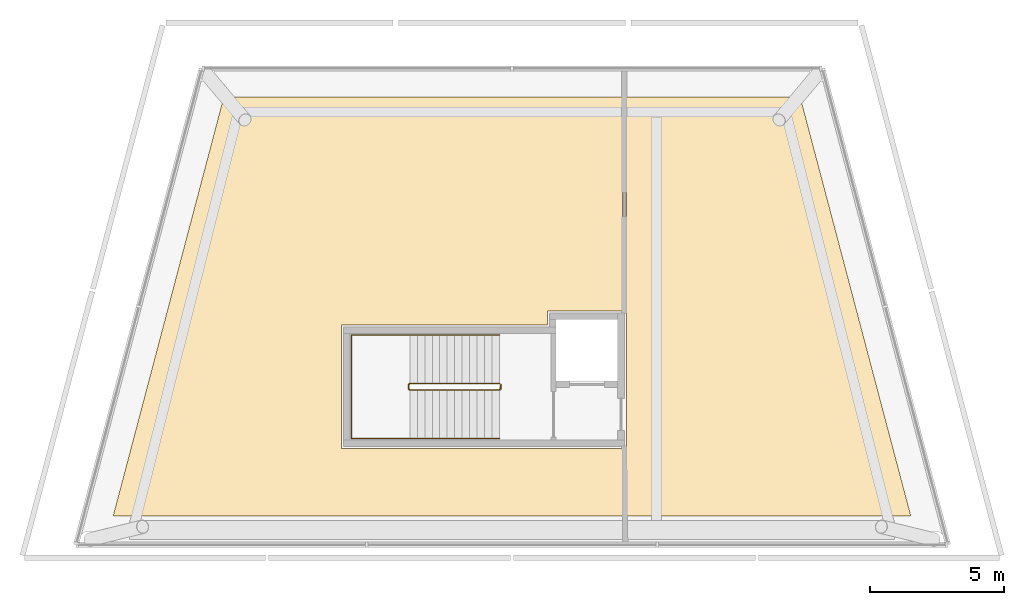
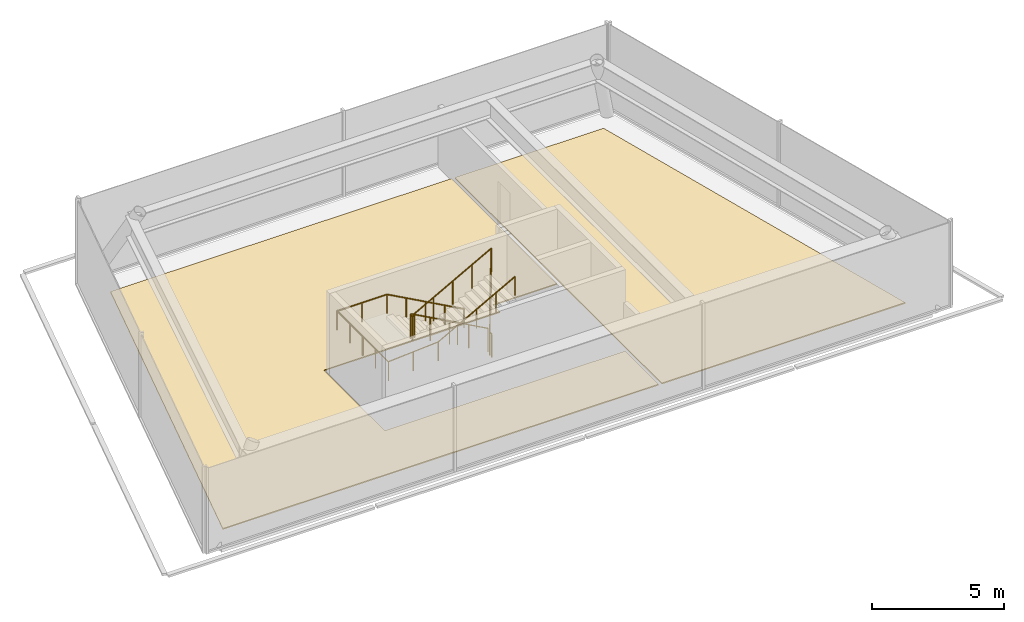
# One storey, part 3 of 3: 2 coverings, 2 railings.
"""IFC4 building model written with IfcOpenShell, lengths in metres."""

import ifcopenshell
import ifcopenshell.guid

model = None  # the IFC model being written
_history = None  # IfcOwnerHistory: only IFC2X3 demands one
_inside = {}  # id of a spatial element -> (the spatial element, [elements in it])
_under = {}  # id of a project, library or spatial element -> (it, [spatial elements below it])
_declared = {}  # id of a project -> (the project, [libraries it declares])
_typed = {}  # id of a type object -> (the type object, [elements of that type])
_made_of = {}  # id of a material, layer set ... -> (it, [elements and type objects made of it])


def new_model(schema):
    """Start an empty IFC model of exactly this schema.

    Asked for "IFC4X3", IfcOpenShell would pick the latest addendum, in which some entities
    have other attributes; the version numbers below select the first issue.
    IFC2X3 requires an IfcOwnerHistory on every rooted entity: one is made here for all.
    """
    global model, _history
    if schema == "IFC4X3":
        model = ifcopenshell.file(schema_version=(4, 3, 0, 0))
    else:
        model = ifcopenshell.file(schema=schema)
    _inside.clear()
    _under.clear()
    _declared.clear()
    _typed.clear()
    _made_of.clear()
    _history = None
    if model.schema == "IFC2X3":
        org = make("IfcOrganization", Name="unknown")
        user = make(
            "IfcPersonAndOrganization",
            ThePerson=make("IfcPerson", FamilyName="unknown"),
            TheOrganization=org,
        )
        app = make(
            "IfcApplication",
            ApplicationDeveloper=org,
            Version="unknown",
            ApplicationFullName="unknown",
            ApplicationIdentifier="unknown",
        )
        _history = make(
            "IfcOwnerHistory",
            OwningUser=user,
            OwningApplication=app,
            ChangeAction="ADDED",
            CreationDate=0,
        )
    return model


def make(cls, **values):
    """One entity of the class cls with the attributes given. An attribute that is None is left unset."""
    return model.create_entity(
        cls, **{name: value for name, value in values.items() if value is not None}
    )


def rooted(cls, **values):
    """An entity with a GlobalId (a new one), such as an element, a storey or a relation."""
    return make(cls, GlobalId=ifcopenshell.guid.new(), OwnerHistory=_history, **values)


def si_unit(unit_type, name, prefix=None):
    """IfcSIUnit, for example si_unit("LENGTHUNIT", "METRE", prefix="MILLI")."""
    return make("IfcSIUnit", UnitType=unit_type, Prefix=prefix, Name=name)


def assignment(units):
    """IfcUnitAssignment: the units of a project."""
    return None if units is None else make("IfcUnitAssignment", Units=units)


def point(xyz):
    """IfcCartesianPoint."""
    return None if xyz is None else make("IfcCartesianPoint", Coordinates=xyz)


def direction(xyz):
    """IfcDirection."""
    return None if xyz is None else make("IfcDirection", DirectionRatios=xyz)


def frame(location, z_axis=None, x_axis=None):
    """IfcAxis2Placement3D, a coordinate frame: its origin and axes. An axis left out is left unset."""
    return make(
        "IfcAxis2Placement3D",
        Location=point(location),
        Axis=direction(z_axis),
        RefDirection=direction(x_axis),
    )


def frame_2d(location, x_axis=None):
    """IfcAxis2Placement2D, a coordinate frame in the plane: its origin and x axis."""
    return make(
        "IfcAxis2Placement2D", Location=point(location), RefDirection=direction(x_axis)
    )


def origin():
    """The frame at (0, 0, 0) with its axes left unset."""
    return frame((0.0, 0.0, 0.0))


def origin_2d():
    """The frame at (0, 0) in the plane with its x axis left unset."""
    return frame_2d((0.0, 0.0))


def place(relative_to, where):
    """IfcLocalPlacement: puts the frame where relative to a parent placement (None: the world)."""
    return make(
        "IfcLocalPlacement", PlacementRelTo=relative_to, RelativePlacement=where
    )


def context(
    kind, dimensions, precision=None, world=None, true_north=None, identifier=None
):
    """IfcGeometricRepresentationContext, for example the 3D "Model" context."""
    return make(
        "IfcGeometricRepresentationContext",
        ContextIdentifier=identifier,
        ContextType=kind,
        CoordinateSpaceDimension=dimensions,
        Precision=precision,
        WorldCoordinateSystem=world,
        TrueNorth=true_north,
    )


def subcontext(parent, identifier, kind, view, scale=None):
    """IfcGeometricRepresentationSubContext, for example "Body" below "Model"."""
    return make(
        "IfcGeometricRepresentationSubContext",
        ContextIdentifier=identifier,
        ContextType=kind,
        ParentContext=parent,
        TargetScale=scale,
        TargetView=view,
    )


def project(units=None, contexts=None):
    """IfcProject with its units and contexts."""
    return rooted(
        "IfcProject",
        Name="project",
        RepresentationContexts=contexts,
        UnitsInContext=assignment(units),
    )


def spatial(cls, under=None, at=None, **own):
    """A site, building, storey or space (cls), placed at a placement, below another one or the project."""
    s = rooted(cls, ObjectPlacement=at, **own)
    if under is not None:
        _under.setdefault(under.id(), (under, []))[1].append(s)
    return s


def polyline(points):
    """IfcPolyline through the points."""
    return make("IfcPolyline", Points=[point(p) for p in points])


def profile(cls, at=None, kind="AREA", **sizes):
    """A parametric profile (cls). Its sizes go by their IFC names, for example OverallWidth=200.0."""
    return make(cls, ProfileType=kind, Position=at, **sizes)


def circle(**sizes):
    """IfcCircleProfileDef."""
    return profile("IfcCircleProfileDef", **sizes)


def outline(outer, holes=None, kind="AREA"):
    """IfcArbitraryClosedProfileDef: a profile drawn as a closed curve; with holes, ...WithVoids."""
    if holes is None:
        return make("IfcArbitraryClosedProfileDef", ProfileType=kind, OuterCurve=outer)
    return make(
        "IfcArbitraryProfileDefWithVoids",
        ProfileType=kind,
        OuterCurve=outer,
        InnerCurves=holes,
    )


def extrude(swept, where, along, depth):
    """IfcExtrudedAreaSolid: the profile swept, set in the frame where, extruded along a direction by depth."""
    return make(
        "IfcExtrudedAreaSolid",
        SweptArea=swept,
        Position=where,
        ExtrudedDirection=direction(along),
        Depth=depth,
    )


def shape(context_of_items, identifier, shape_type, items):
    """IfcShapeRepresentation: the items that make up one representation, for example the "Body"."""
    return make(
        "IfcShapeRepresentation",
        ContextOfItems=context_of_items,
        RepresentationIdentifier=identifier,
        RepresentationType=shape_type,
        Items=items,
    )


def material(Name=None, Category=None):
    """IfcMaterial."""
    return make("IfcMaterial", Name=Name, Category=Category)


def layer(
    of_material, thickness, ventilated=None, Name=None, Category=None, Priority=None
):
    """IfcMaterialLayer: one layer of a wall or slab, of a material (None: an air gap)."""
    return make(
        "IfcMaterialLayer",
        Material=of_material,
        LayerThickness=thickness,
        IsVentilated=ventilated,
        Name=Name,
        Category=Category,
        Priority=Priority,
    )


def layer_set(layers, Name=None):
    """IfcMaterialLayerSet."""
    return make("IfcMaterialLayerSet", MaterialLayers=layers, LayerSetName=Name)


def made_of(thing, what):
    """Note that an element or type object is made of a material, layer set ...; save() writes the relation."""
    if what is not None:
        _made_of.setdefault(what.id(), (what, []))[1].append(thing)
    return thing


def type_object(cls, material=None, **own):
    """A type object (cls), such as IfcWallType, which elements share."""
    return made_of(rooted(cls, **own), material)


def element(
    cls,
    number,
    at=None,
    inside=None,
    cuts=None,
    type_object=None,
    material=None,
    context=None,
    identifier="Body",
    shape_type=None,
    held_by="IfcProductDefinitionShape",
    body=None,
    shapes=None,
    **own,
):
    """One element of the class cls, such as IfcWall. Its Tag is "e" and its number.

    at: its placement. inside: the storey or other place that contains it. cuts: it is an
    opening in that element (IfcRelVoidsElement). A single representation is given by context,
    identifier, shape_type and body (its items); several are given by shapes. held_by: the class
    of the entity that holds the representations. save() writes the other relations.
    """
    e = rooted(cls, Tag="e%d" % number, ObjectPlacement=at, **own)
    if body is not None:
        shapes = [shape(context, identifier, shape_type, body)]
    if shapes is not None:
        e.Representation = make(held_by, Representations=shapes)
    if inside is not None:
        _inside.setdefault(inside.id(), (inside, []))[1].append(e)
    if cuts is not None:
        rooted(
            "IfcRelVoidsElement", RelatingBuildingElement=cuts, RelatedOpeningElement=e
        )
    if type_object is not None:
        _typed.setdefault(type_object.id(), (type_object, []))[1].append(e)
    return made_of(e, material)


def aggregate(whole, parts):
    """IfcRelAggregates: a whole, such as a stair, and the parts it consists of."""
    return rooted("IfcRelAggregates", RelatingObject=whole, RelatedObjects=parts)


def save(model, path):
    """Write the relations noted so far, then the file.

    IfcRelAggregates (storeys below a building ...), IfcRelContainedInSpatialStructure (elements
    in a storey), IfcRelDefinesByType, IfcRelAssociatesMaterial and IfcRelDeclares: one each for
    every whole, place, type object, material and project.
    """
    for whole, parts in _under.values():
        aggregate(whole, parts)
    for where, things in _inside.values():
        rooted(
            "IfcRelContainedInSpatialStructure",
            RelatedElements=things,
            RelatingStructure=where,
        )
    for kind, things in _typed.values():
        rooted("IfcRelDefinesByType", RelatedObjects=things, RelatingType=kind)
    for what, things in _made_of.values():
        rooted("IfcRelAssociatesMaterial", RelatedObjects=things, RelatingMaterial=what)
    for by, libraries in _declared.values():
        rooted("IfcRelDeclares", RelatingContext=by, RelatedDefinitions=libraries)
    model.write(path)


model = new_model("IFC4")

# Units and contexts
model_context = context("Model", 3, precision=1e-05, world=origin(), true_north=direction((0.0, 1.0)))
body_context = subcontext(model_context, "Body", "Model", "MODEL_VIEW")
ifc_project = project(units=[si_unit("LENGTHUNIT", "METRE"), si_unit("AREAUNIT", "SQUARE_METRE"), si_unit("VOLUMEUNIT", "CUBIC_METRE"), si_unit("PLANEANGLEUNIT", "RADIAN"), si_unit("MASSUNIT", "GRAM", prefix="KILO")], contexts=[model_context])

# Site, building, storey
site_placement = place(None, origin())
site = spatial("IfcSite", under=ifc_project, at=site_placement, CompositionType="ELEMENT")
building_placement = place(site_placement, origin())
building = spatial("IfcBuilding", under=site, at=building_placement, Name="Quipu Civic Tower", CompositionType="ELEMENT")
storey_placement = place(building_placement, frame((0.0, 0.0, 372.0)))
storey = spatial("IfcBuildingStorey", under=building, at=storey_placement, Name="L86", CompositionType="ELEMENT", Elevation=372.0)

# Coverings
ifc_material_1 = material(Name="Sealed cement screed")
ifc_layer = layer(ifc_material_1, 0.050048828125)
ifc_layer_set = layer_set([ifc_layer], Name="Sealed cement screed")
covering_type = type_object("IfcCoveringType", Name="Sealed screed floor finish 50", PredefinedType="FLOORING", material=ifc_layer_set)
covering_1_placement = place(storey_placement, origin())
element("IfcCovering", 1, at=covering_1_placement, inside=storey, type_object=covering_type, Name="Sealed screed floor finish 50", PredefinedType="FLOORING", context=body_context, shape_type="SweptSolid", body=[
    extrude(outline(polyline([(4.27001953125, 6.610107421875), (10.76904296875, 6.610107421875), (14.904052734375, -9.050048828125), (4.27001953125, -9.050048828125), (4.27001953125, 6.610107421875)])), origin(), (0.0, 0.0, 1.0), 0.050048828125),
])
covering_2_placement = place(storey_placement, origin())
element("IfcCovering", 2, at=covering_2_placement, inside=storey, type_object=covering_type, Name="Sealed screed floor finish 50", PredefinedType="FLOORING", context=body_context, shape_type="SweptSolid", body=[
    extrude(outline(polyline([(-10.76904296875, 6.610107421875), (4.1298828125, 6.610107421875), (4.1298828125, -1.3798828125), (1.330078125, -1.3798828125), (1.330078125, -1.909912109375), (-6.3701171875, -1.909912109375), (-6.3701171875, -6.52001953125), (4.1298828125, -6.52001953125), (4.1298828125, -9.050048828125), (-14.904052734375, -9.050048828125), (-10.76904296875, 6.610107421875)])), origin(), (0.0, 0.0, 1.0), 0.050048828125),
])

# Railings
ifc_material_2 = material(Name="Stainless steel", Category="steel")
railing_type_1 = type_object("IfcRailingType", Name="Stair guard 1100", PredefinedType="GUARDRAIL", material=ifc_material_2)
railing_1_placement = place(storey_placement, frame((-0.4599609375, -4.090087890625, 0.15380859375)))
element("IfcRailing", 3, at=railing_1_placement, inside=storey, type_object=railing_type_1, Name="Stair 5 guard", PredefinedType="GUARDRAIL", context=body_context, shape_type="SweptSolid", body=[
    extrude(circle(Radius=0.02392578125, at=origin_2d()), frame((0.0, 0.0, 1.076171875), z_axis=(-0.876421534553, 0.0, 0.481544695509), x_axis=(0.0, -1.0, 0.0)), (0.0, 0.0, 1.0), 3.833984375),
    extrude(circle(Radius=0.02392578125, at=origin_2d()), frame((-3.360107421875, 0.0, 2.92236328125), z_axis=(-0.708833529934, -0.705375805398, 0.0), x_axis=(0.705375805398, -0.708833529934, 0.0)), (0.0, 0.0, 1.0), 0.070556640625),
    extrude(circle(Radius=0.02392578125, at=origin_2d()), frame((-3.41015625, -0.0498046875, 2.92236328125), z_axis=(0.0, -1.0, 0.0), x_axis=(1.0, 0.0, 0.0)), (0.0, 0.0, 1.0), 0.150146484375),
    extrude(circle(Radius=0.02392578125, at=origin_2d()), frame((-3.41015625, -0.199951171875, 2.92236328125), z_axis=(0.295599637079, -0.295599637079, 0.908428152975), x_axis=(0.707106781187, 0.707106781187, 0.0)), (0.0, 0.0, 1.0), 0.16943359375),
    extrude(circle(Radius=0.02392578125, at=origin_2d()), frame((-3.360107421875, -0.25, 3.076171875), z_axis=(0.876421534553, 0.0, 0.481544695509), x_axis=(0.0, 1.0, 0.0)), (0.0, 0.0, 1.0), 3.833984375),
    extrude(circle(Radius=0.02392578125, at=origin_2d()), frame((0.0, -0.25, 4.92236328125), z_axis=(0.012495589946, 0.049982359782, -0.998671930086), x_axis=(-0.970142500145, 0.242535625036, 0.0)), (0.0, 0.0, 1.0), 4.00537109375),
    extrude(circle(Radius=0.02392578125, at=origin_2d()), frame((0.050048828125, -0.0498046875, 0.92236328125), z_axis=(0.0, -1.0, 0.0), x_axis=(1.0, 0.0, 0.0)), (0.0, 0.0, 1.0), 0.150146484375),
    extrude(circle(Radius=0.02099609375, at=origin_2d()), origin(), (0.0, 0.0, 1.0), 1.052001953125),
    extrude(circle(Radius=0.02099609375, at=origin_2d()), frame((-0.840087890625, 0.0, 0.46142578125)), (0.0, 0.0, 1.0), 1.052001953125),
    extrude(circle(Radius=0.02099609375, at=origin_2d()), frame((-1.68017578125, 0.0, 0.923095703125)), (0.0, 0.0, 1.0), 1.052001953125),
    extrude(circle(Radius=0.02099609375, at=origin_2d()), frame((-2.52001953125, 0.0, 1.384765625)), (0.0, 0.0, 1.0), 1.052001953125),
    extrude(circle(Radius=0.02099609375, at=origin_2d()), frame((-3.360107421875, 0.0, 1.84619140625)), (0.0, 0.0, 1.0), 1.052001953125),
    extrude(circle(Radius=0.02099609375, at=origin_2d()), frame((-3.41015625, -0.0498046875, 1.84619140625)), (0.0, 0.0, 1.0), 1.052001953125),
    extrude(circle(Radius=0.02099609375, at=origin_2d()), frame((-3.41015625, -0.199951171875, 1.84619140625)), (0.0, 0.0, 1.0), 1.052001953125),
    extrude(circle(Radius=0.02099609375, at=origin_2d()), frame((-3.360107421875, -0.25, 2.0)), (0.0, 0.0, 1.0), 1.052001953125),
    extrude(circle(Radius=0.02099609375, at=origin_2d()), frame((-2.52001953125, -0.25, 2.46142578125)), (0.0, 0.0, 1.0), 1.052001953125),
    extrude(circle(Radius=0.02099609375, at=origin_2d()), frame((-1.68017578125, -0.25, 2.923095703125)), (0.0, 0.0, 1.0), 1.052001953125),
    extrude(circle(Radius=0.02099609375, at=origin_2d()), frame((-0.840087890625, -0.25, 3.384765625)), (0.0, 0.0, 1.0), 1.052001953125),
    extrude(circle(Radius=0.02099609375, at=origin_2d()), frame((0.0, -0.25, 3.84619140625)), (0.0, 0.0, 1.0), 1.052001953125),
    extrude(circle(Radius=0.02099609375, at=origin_2d()), frame((0.012451171875, -0.199951171875, 2.84619140625)), (0.0, 0.0, 1.0), 1.052001953125),
    extrude(circle(Radius=0.02099609375, at=origin_2d()), frame((0.02490234375, -0.14990234375, 1.84619140625)), (0.0, 0.0, 1.0), 1.052001953125),
    extrude(circle(Radius=0.02099609375, at=origin_2d()), frame((0.03759765625, -0.099853515625, 0.84619140625)), (0.0, 0.0, 1.0), 1.052001953125),
    extrude(circle(Radius=0.02099609375, at=origin_2d()), frame((0.050048828125, -0.0498046875, -0.15380859375)), (0.0, 0.0, 1.0), 1.052001953125),
    extrude(circle(Radius=0.02099609375, at=origin_2d()), frame((0.050048828125, -0.199951171875, -0.15380859375)), (0.0, 0.0, 1.0), 1.052001953125),
])
ifc_material_3 = material(Name="Stainless steel", Category="steel")
railing_type_2 = type_object("IfcRailingType", Name="Stair handrail", PredefinedType="HANDRAIL", material=ifc_material_3)
railing_2_placement = place(storey_placement, frame((-0.4599609375, -2.280029296875, 0.15380859375)))
element("IfcRailing", 4, at=railing_2_placement, inside=storey, type_object=railing_type_2, Name="Stair 5 handrail", PredefinedType="HANDRAIL", context=body_context, shape_type="SweptSolid", body=[
    extrude(circle(Radius=0.02392578125, at=origin_2d()), frame((0.0, 0.0, 0.8759765625), z_axis=(-0.876421534553, 0.0, 0.481544695509), x_axis=(0.0, -1.0, 0.0)), (0.0, 0.0, 1.0), 3.833984375),
    extrude(circle(Radius=0.02392578125, at=origin_2d()), frame((-3.360107421875, 0.0, 2.72216796875), z_axis=(-1.0, 0.0, 0.0), x_axis=(0.0, -1.0, 0.0)), (0.0, 0.0, 1.0), 2.179931640625),
    extrude(circle(Radius=0.02392578125, at=origin_2d()), frame((-5.5400390625, 0.0, 2.72216796875), z_axis=(0.0, -1.0, 0.0), x_axis=(1.0, 0.0, 0.0)), (0.0, 0.0, 1.0), 3.869873046875),
    extrude(circle(Radius=0.02392578125, at=origin_2d()), frame((-5.5400390625, -3.869873046875, 2.72216796875), z_axis=(0.997520137335, 0.0, 0.070381642572), x_axis=(0.0, 1.0, 0.0)), (0.0, 0.0, 1.0), 2.185302734375),
    extrude(circle(Radius=0.02392578125, at=origin_2d()), frame((-3.360107421875, -3.869873046875, 2.8759765625), z_axis=(0.876421534553, 0.0, 0.481544695509), x_axis=(0.0, 1.0, 0.0)), (0.0, 0.0, 1.0), 3.833984375),
    extrude(circle(Radius=0.02099609375, at=origin_2d()), origin(), (0.0, 0.0, 1.0), 0.851806640625),
    extrude(circle(Radius=0.02099609375, at=origin_2d()), frame((-0.840087890625, 0.0, 0.46142578125)), (0.0, 0.0, 1.0), 0.851806640625),
    extrude(circle(Radius=0.02099609375, at=origin_2d()), frame((-1.68017578125, 0.0, 0.923095703125)), (0.0, 0.0, 1.0), 0.851806640625),
    extrude(circle(Radius=0.02099609375, at=origin_2d()), frame((-2.52001953125, 0.0, 1.384765625)), (0.0, 0.0, 1.0), 0.851806640625),
    extrude(circle(Radius=0.02099609375, at=origin_2d()), frame((-3.360107421875, 0.0, 1.84619140625)), (0.0, 0.0, 1.0), 0.851806640625),
    extrude(circle(Radius=0.02099609375, at=origin_2d()), frame((-4.4501953125, 0.0, 1.84619140625)), (0.0, 0.0, 1.0), 0.851806640625),
    extrude(circle(Radius=0.02099609375, at=origin_2d()), frame((-5.5400390625, 0.0, 1.84619140625)), (0.0, 0.0, 1.0), 0.851806640625),
    extrude(circle(Radius=0.02099609375, at=origin_2d()), frame((-5.5400390625, -0.967529296875, 1.84619140625)), (0.0, 0.0, 1.0), 0.851806640625),
    extrude(circle(Radius=0.02099609375, at=origin_2d()), frame((-5.5400390625, -1.93505859375, 1.84619140625)), (0.0, 0.0, 1.0), 0.851806640625),
    extrude(circle(Radius=0.02099609375, at=origin_2d()), frame((-5.5400390625, -2.90234375, 1.84619140625)), (0.0, 0.0, 1.0), 0.851806640625),
    extrude(circle(Radius=0.02099609375, at=origin_2d()), frame((-5.5400390625, -3.869873046875, 1.84619140625)), (0.0, 0.0, 1.0), 0.851806640625),
    extrude(circle(Radius=0.02099609375, at=origin_2d()), frame((-4.4501953125, -3.869873046875, 1.923095703125)), (0.0, 0.0, 1.0), 0.851806640625),
    extrude(circle(Radius=0.02099609375, at=origin_2d()), frame((-3.360107421875, -3.869873046875, 2.0)), (0.0, 0.0, 1.0), 0.851806640625),
    extrude(circle(Radius=0.02099609375, at=origin_2d()), frame((-2.52001953125, -3.869873046875, 2.46142578125)), (0.0, 0.0, 1.0), 0.851806640625),
    extrude(circle(Radius=0.02099609375, at=origin_2d()), frame((-1.68017578125, -3.869873046875, 2.923095703125)), (0.0, 0.0, 1.0), 0.851806640625),
    extrude(circle(Radius=0.02099609375, at=origin_2d()), frame((-0.840087890625, -3.869873046875, 3.384765625)), (0.0, 0.0, 1.0), 0.851806640625),
    extrude(circle(Radius=0.02099609375, at=origin_2d()), frame((0.0, -3.869873046875, 3.84619140625)), (0.0, 0.0, 1.0), 0.851806640625),
])

save(model, "model.ifc")
